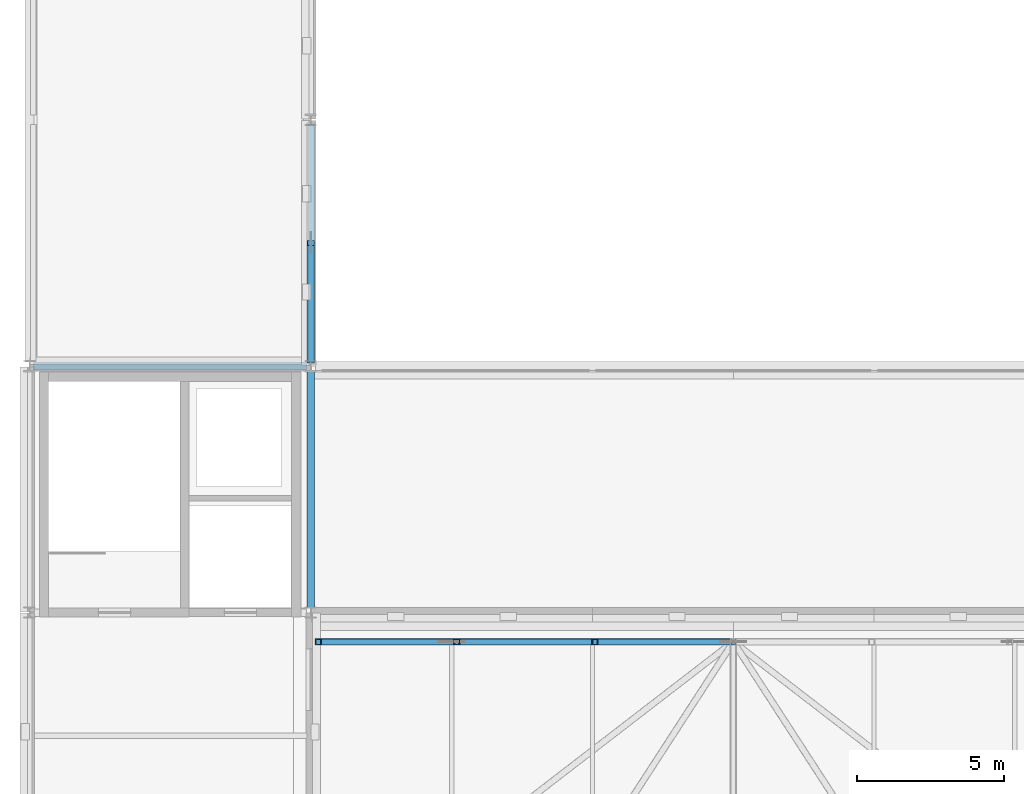
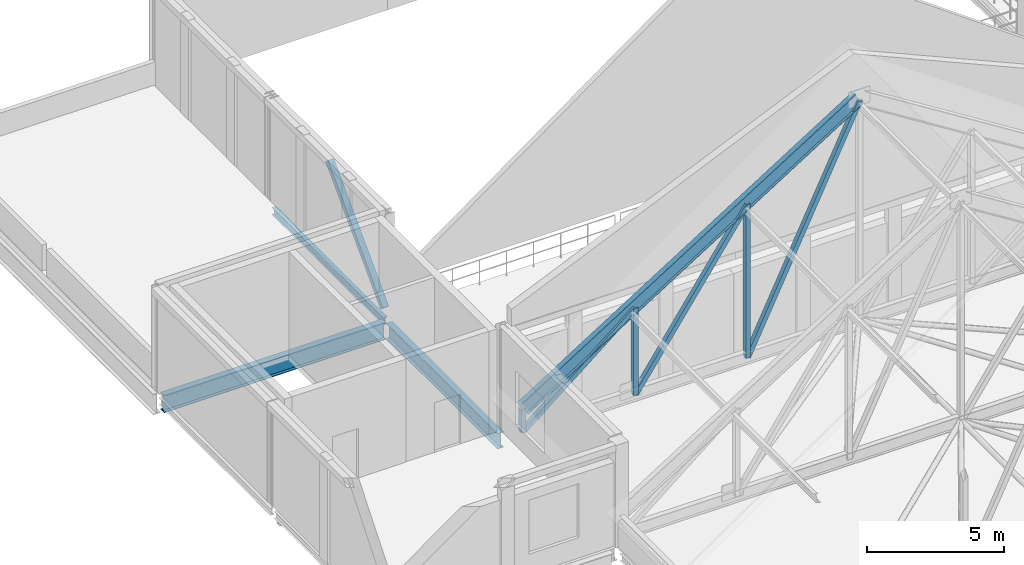
# One storey, part 12 of 26: 7 members, 4 beams.
"""IFC4 building model written with IfcOpenShell, lengths in metres."""

from ifc_helpers import new_model, si_unit, direction, frame, origin, origin_2d, place, context, subcontext, project, spatial, hollow_rectangle, i_section, extrude, material, material_profile, profile_set, type_object, element, save


model = new_model("IFC4")

# Units and contexts
model_context = context("Model", 3, precision=1e-05, world=origin(), true_north=direction((0.0, 1.0)))
body_context = subcontext(model_context, "Body", "Model", "MODEL_VIEW")
ifc_project = project(units=[si_unit("LENGTHUNIT", "METRE"), si_unit("AREAUNIT", "SQUARE_METRE"), si_unit("VOLUMEUNIT", "CUBIC_METRE"), si_unit("PLANEANGLEUNIT", "RADIAN"), si_unit("MASSUNIT", "GRAM", prefix="KILO")], contexts=[model_context])

# Site, building, storey
site_placement = place(None, origin())
site = spatial("IfcSite", under=ifc_project, at=site_placement, CompositionType="ELEMENT")
building_placement = place(site_placement, origin())
building = spatial("IfcBuilding", under=site, at=building_placement, Name="Lornevale Opera House", CompositionType="ELEMENT")
storey_placement = place(building_placement, frame((0.0, 0.0, 19.800048828125)))
storey = spatial("IfcBuildingStorey", under=building, at=storey_placement, Name="L05", CompositionType="ELEMENT", Elevation=19.800048828125)

# Beam
ifc_material = material(Name="Structural Steel CSA G40.21 Grade 350W (350 MPa)", Category="steel")
ifc_material_profile_1 = material_profile(ifc_material, i_section(OverallWidth=0.22900390625, OverallDepth=0.612060546875, WebThickness=0.011962890625, FlangeThickness=0.01953125, at=origin_2d()), Name="W610x125")
ifc_profile_set_1 = profile_set([ifc_material_profile_1], Name="Structural Steel CSA G40.21 Grade 350W (350 MPa)")
beam_type_1 = type_object("IfcBeamType", Name="Auditorium Truss Top Chord W610x125", PredefinedType="BEAM", material=ifc_profile_set_1)
beam_1_placement = place(storey_placement, frame((67.449951171875, 57.800048828125, 1.349853515625), z_axis=(0.846355912416, 0.0, 0.532617751788), x_axis=(0.0, 1.0, 0.0)))
element("IfcBeam", 1, at=beam_1_placement, inside=storey, type_object=beam_type_1, Name="Auditorium Truss Top Chord W610x125 2967", PredefinedType="BEAM", context=body_context, shape_type="SweptSolid", body=[
    extrude(i_section(OverallWidth=0.22900390625, OverallDepth=0.612060546875, WebThickness=0.011962890625, FlangeThickness=0.01953125, at=origin_2d()), origin(), (0.0, 0.0, 1.0), 16.65966796875),
])

# Members
ifc_material_profile_2 = material_profile(ifc_material, hollow_rectangle(XDim=0.202880859375, YDim=0.202880859375, WallThickness=0.010986328125, at=origin_2d()), Name="HSS203x203x11")
ifc_profile_set_2 = profile_set([ifc_material_profile_2], Name="Structural Steel CSA G40.21 Grade 350W (350 MPa)")
member_type_1 = type_object("IfcMemberType", Name="Auditorium Truss Web HSS203x203x11", PredefinedType="STRUT", material=ifc_profile_set_2)
member_1_placement = place(storey_placement, frame((67.449951171875, 57.800048828125, 0.349853515625), z_axis=(0.0, 0.0, 1.0), x_axis=(1.0, 0.0, 0.0)))
element("IfcMember", 2, at=member_1_placement, inside=storey, type_object=member_type_1, Name="Auditorium Truss Web HSS203x203x11 0041", PredefinedType="STRUT", context=body_context, shape_type="SweptSolid", body=[
    extrude(hollow_rectangle(XDim=0.202880859375, YDim=0.202880859375, WallThickness=0.010986328125, at=origin_2d()), origin(), (0.0, 0.0, 1.0), 1.0),
])
member_2_placement = place(storey_placement, frame((72.166748046875, 57.800048828125, 0.349853515625), z_axis=(0.0, 0.0, 1.0), x_axis=(1.0, 0.0, 0.0)))
element("IfcMember", 3, at=member_2_placement, inside=storey, type_object=member_type_1, Name="Auditorium Truss Web HSS203x203x11 0043", PredefinedType="STRUT", context=body_context, shape_type="SweptSolid", body=[
    extrude(hollow_rectangle(XDim=0.202880859375, YDim=0.202880859375, WallThickness=0.010986328125, at=origin_2d()), origin(), (0.0, 0.0, 1.0), 3.85791015625),
])
member_3_placement = place(storey_placement, frame((67.449951171875, 57.800048828125, 0.349853515625), z_axis=(0.774060823837, 0.0, 0.633111239041), x_axis=(0.0, 1.0, 0.0)))
element("IfcMember", 4, at=member_3_placement, inside=storey, type_object=member_type_1, Name="Auditorium Truss Web HSS203x203x11 0044", PredefinedType="STRUT", context=body_context, shape_type="SweptSolid", body=[
    extrude(hollow_rectangle(XDim=0.202880859375, YDim=0.202880859375, WallThickness=0.010986328125, at=origin_2d()), origin(), (0.0, 0.0, 1.0), 6.093505859375),
])
member_4_placement = place(storey_placement, frame((76.88330078125, 57.800048828125, 0.349853515625), z_axis=(0.0, 0.0, 1.0), x_axis=(1.0, 0.0, 0.0)))
element("IfcMember", 5, at=member_4_placement, inside=storey, type_object=member_type_1, Name="Auditorium Truss Web HSS203x203x11 0045", PredefinedType="STRUT", context=body_context, shape_type="SweptSolid", body=[
    extrude(hollow_rectangle(XDim=0.202880859375, YDim=0.202880859375, WallThickness=0.010986328125, at=origin_2d()), origin(), (0.0, 0.0, 1.0), 6.8154296875),
])
member_5_placement = place(storey_placement, frame((72.166748046875, 57.800048828125, 0.349853515625), z_axis=(0.56906139323, 0.0, 0.822295038739), x_axis=(0.0, 1.0, 0.0)))
element("IfcMember", 6, at=member_5_placement, inside=storey, type_object=member_type_1, Name="Auditorium Truss Web HSS203x203x11 0046", PredefinedType="STRUT", context=body_context, shape_type="SweptSolid", body=[
    extrude(hollow_rectangle(XDim=0.202880859375, YDim=0.202880859375, WallThickness=0.010986328125, at=origin_2d()), origin(), (0.0, 0.0, 1.0), 8.288330078125),
])
member_6_placement = place(storey_placement, frame((76.88330078125, 57.800048828125, 0.349853515625), z_axis=(0.434652174265, 0.0, 0.900598405177), x_axis=(0.0, 1.0, 0.0)))
element("IfcMember", 7, at=member_6_placement, inside=storey, type_object=member_type_1, Name="Auditorium Truss Web HSS203x203x11 0048", PredefinedType="STRUT", context=body_context, shape_type="SweptSolid", body=[
    extrude(hollow_rectangle(XDim=0.202880859375, YDim=0.202880859375, WallThickness=0.010986328125, at=origin_2d()), origin(), (0.0, 0.0, 1.0), 10.851806640625),
])
ifc_material_profile_3 = material_profile(ifc_material, hollow_rectangle(XDim=0.25390625, YDim=0.25390625, WallThickness=0.0126953125, at=origin_2d()), Name="HSS254x254x13")
ifc_profile_set_3 = profile_set([ifc_material_profile_3], Name="Structural Steel CSA G40.21 Grade 350W (350 MPa)")
member_type_2 = type_object("IfcMemberType", Name="Stagehouse Lateral Brace HSS254x254x13", PredefinedType="BRACE", material=ifc_profile_set_3)
member_7_placement = place(storey_placement, frame((67.199951171875, 67.3935546875, 0.099853515625), z_axis=(0.0, 0.696269078364, 0.717780865246), x_axis=(-1.0, 0.0, 0.0)))
element("IfcMember", 8, at=member_7_placement, inside=storey, type_object=member_type_2, Name="Stagehouse Lateral Brace HSS254x254x13 0112", PredefinedType="BRACE", context=body_context, shape_type="SweptSolid", body=[
    extrude(hollow_rectangle(XDim=0.25390625, YDim=0.25390625, WallThickness=0.0126953125, at=origin_2d()), origin(), (0.0, 0.0, 1.0), 5.75390625),
])

# Beams
ifc_material_profile_4 = material_profile(ifc_material, i_section(OverallWidth=0.25390625, OverallDepth=0.68798828125, WebThickness=0.01318359375, FlangeThickness=0.02099609375, at=origin_2d()), Name="W690x152")
ifc_profile_set_4 = profile_set([ifc_material_profile_4], Name="Structural Steel CSA G40.21 Grade 350W (350 MPa)")
beam_type_2 = type_object("IfcBeamType", Name="Steel Foyer Beam W690x152", PredefinedType="USERDEFINED", material=ifc_profile_set_4)
beam_2_placement = place(storey_placement, frame((67.199951171875, 58.949462890625, -0.678955078125), z_axis=(0.0, 1.0, 0.0), x_axis=(-1.0, 0.0, 0.0)))
element("IfcBeam", 9, at=beam_2_placement, inside=storey, type_object=beam_type_2, Name="Steel Foyer Beam W690x152 2764", ObjectType="GIRDER", PredefinedType="USERDEFINED", context=body_context, shape_type="SweptSolid", body=[
    extrude(i_section(OverallWidth=0.25390625, OverallDepth=0.68798828125, WebThickness=0.01318359375, FlangeThickness=0.02099609375, at=origin_2d()), origin(), (0.0, 0.0, 1.0), 8.10107421875),
])
ifc_material_profile_5 = material_profile(ifc_material, i_section(OverallWidth=0.1669921875, OverallDepth=0.31689453125, WebThickness=0.007568359375, FlangeThickness=0.01318359375, at=origin_2d()), Name="W310x52")
ifc_profile_set_5 = profile_set([ifc_material_profile_5], Name="Structural Steel CSA G40.21 Grade 350W (350 MPa)")
beam_type_3 = type_object("IfcBeamType", Name="Steel Spandrel Beam W310x52", PredefinedType="SPANDREL", material=ifc_profile_set_5)
beam_3_placement = place(storey_placement, frame((67.199951171875, 67.349609375, -0.463623046875), z_axis=(0.0, 1.0, 0.0), x_axis=(-1.0, 0.0, 0.0)))
element("IfcBeam", 10, at=beam_3_placement, inside=storey, type_object=beam_type_3, Name="Steel Spandrel Beam W310x52 2765", PredefinedType="SPANDREL", context=body_context, shape_type="SweptSolid", body=[
    extrude(i_section(OverallWidth=0.1669921875, OverallDepth=0.31689453125, WebThickness=0.007568359375, FlangeThickness=0.01318359375, at=origin_2d()), origin(), (0.0, 0.0, 1.0), 8.100830078125),
])
ifc_material_profile_6 = material_profile(ifc_material, i_section(OverallWidth=0.26708984375, OverallDepth=0.76611328125, WebThickness=0.014892578125, FlangeThickness=0.023681640625, at=origin_2d()), Name="W760x185")
ifc_profile_set_6 = profile_set([ifc_material_profile_6], Name="Structural Steel CSA G40.21 Grade 350W (350 MPa)")
beam_type_4 = type_object("IfcBeamType", Name="Steel Workshop Girder W760x185", PredefinedType="USERDEFINED", material=ifc_profile_set_6)
beam_4_placement = place(storey_placement, frame((57.748046875, 67.199951171875, -0.68798828125), z_axis=(1.0, 0.0, 0.0), x_axis=(0.0, 1.0, 0.0)))
element("IfcBeam", 11, at=beam_4_placement, inside=storey, type_object=beam_type_4, Name="Steel Workshop Girder W760x185 2745", ObjectType="GIRDER", PredefinedType="USERDEFINED", context=body_context, shape_type="SweptSolid", body=[
    extrude(i_section(OverallWidth=0.26708984375, OverallDepth=0.76611328125, WebThickness=0.014892578125, FlangeThickness=0.023681640625, at=origin_2d()), origin(), (0.0, 0.0, 1.0), 9.302490234375),
])

save(model, "model.ifc")
